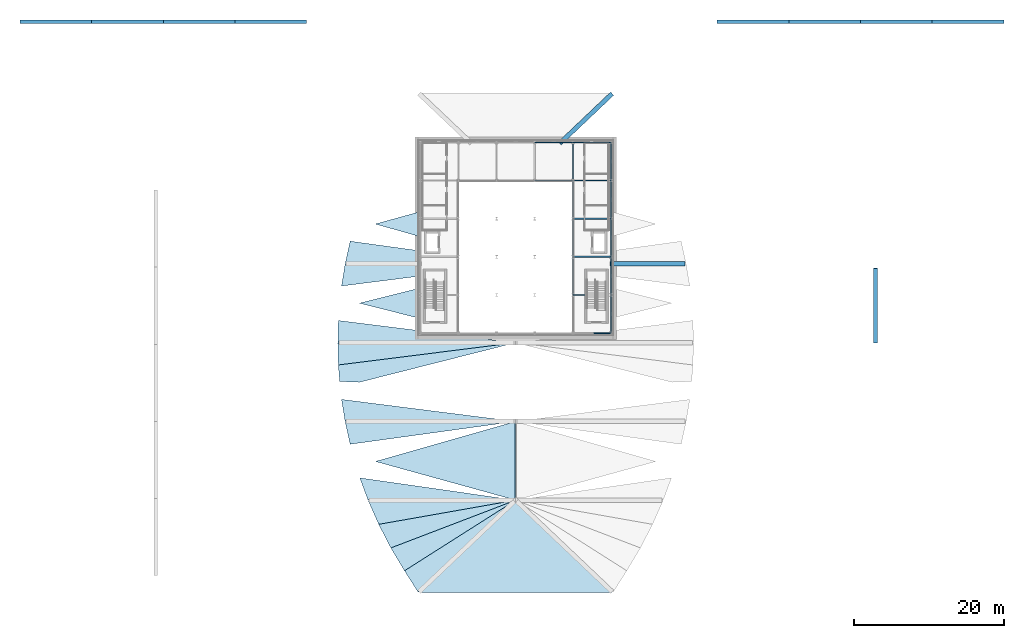
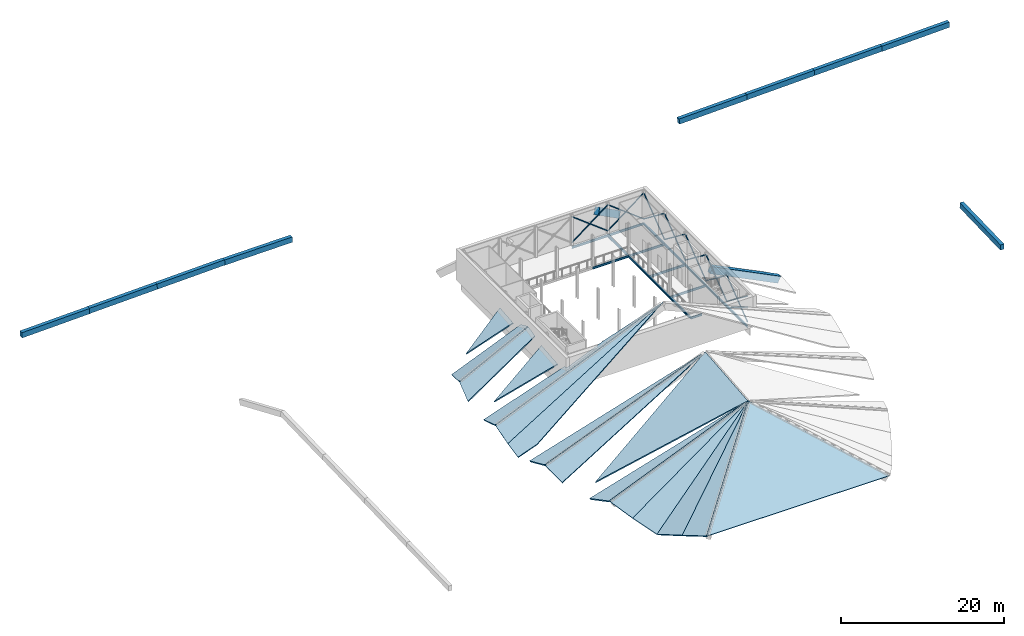
# One storey, part 3 of 7: 27 beams, 22 members, 16 slabs.
"""IFC4 building model written with IfcOpenShell, lengths in metres."""

from ifc_helpers import new_model, si_unit, direction, frame, origin, origin_2d, place, context, subcontext, project, spatial, polyline, rectangle, hollow_circle, i_section, outline, extrude, material, layer, layer_set, material_profile, profile_set, type_object, element, save


model = new_model("IFC4")

# Units and contexts
model_context = context("Model", 3, precision=1e-05, world=origin(), true_north=direction((0.0, 1.0)))
body_context = subcontext(model_context, "Body", "Model", "MODEL_VIEW")
ifc_project = project(units=[si_unit("LENGTHUNIT", "METRE"), si_unit("AREAUNIT", "SQUARE_METRE"), si_unit("VOLUMEUNIT", "CUBIC_METRE"), si_unit("PLANEANGLEUNIT", "RADIAN"), si_unit("MASSUNIT", "GRAM", prefix="KILO")], contexts=[model_context])

# Site, building, storey
site_placement = place(None, origin())
site = spatial("IfcSite", under=ifc_project, at=site_placement, CompositionType="ELEMENT")
building_placement = place(site_placement, origin())
building = spatial("IfcBuilding", under=site, at=building_placement, Name="Tide Square Theatres", CompositionType="ELEMENT")
storey_placement = place(building_placement, frame((0.0, 0.0, 19.39990234375)))
storey = spatial("IfcBuildingStorey", under=building, at=storey_placement, Name="L04", CompositionType="ELEMENT", Elevation=19.39990234375)

# Beams
ifc_material_1 = material(Name="Concrete C40", Category="concrete")
ifc_material_profile_1 = material_profile(ifc_material_1, rectangle(XDim=0.60009765625, YDim=1.0, at=origin_2d()))
ifc_profile_set_1 = profile_set([ifc_material_profile_1], Name="Concrete C40")
beam_type_1 = type_object("IfcBeamType", Name="RC roof rib and ridge 600 x 1000", PredefinedType="BEAM", material=ifc_profile_set_1)
beam_1_placement = place(storey_placement, frame((106.378173828125, 65.50341796875, -2.126220703125), z_axis=(-0.895127152784, 0.0, 0.445810924438), x_axis=(0.0, -1.0, 0.0)))
element("IfcBeam", 1, at=beam_1_placement, inside=storey, type_object=beam_type_1, Name="Roof rib main R4", PredefinedType="BEAM", context=body_context, shape_type="SweptSolid", body=[
    extrude(rectangle(XDim=0.60009765625, YDim=1.0, at=origin_2d()), origin(), (0.0, 0.0, 1.0), 10.725830078125),
])
beam_2_placement = place(storey_placement, frame((96.66162109375, 88.0185546875, -2.7568359375), z_axis=(-0.586818416538, -0.556711719416, 0.587976366427), x_axis=(0.688251683868, -0.725471997842, 0.0)))
element("IfcBeam", 2, at=beam_2_placement, inside=storey, type_object=beam_type_1, Name="Roof rib main R6", PredefinedType="BEAM", context=body_context, shape_type="SweptSolid", body=[
    extrude(rectangle(XDim=0.60009765625, YDim=1.0, at=origin_2d()), origin(), (0.0, 0.0, 1.0), 11.174560546875),
])
ifc_material_2 = material(Name="Concrete C40", Category="concrete")
ifc_material_profile_2 = material_profile(ifc_material_2, rectangle(XDim=0.5, YDim=0.800048828125, at=origin_2d()))
ifc_profile_set_2 = profile_set([ifc_material_profile_2], Name="Concrete C40")
beam_type_2 = type_object("IfcBeamType", Name="RC roof ridge beam 500 x 800", PredefinedType="BEAM", material=ifc_profile_set_2)
beam_3_placement = place(storey_placement, frame((132.0, 54.97021484375, 0.000244140625), z_axis=(0.0, 0.999550039057, 0.029995323326), x_axis=(-1.0, 0.0, 0.0)))
element("IfcBeam", 3, at=beam_3_placement, inside=storey, type_object=beam_type_2, Name="Ridge beam blackbox", PredefinedType="BEAM", context=body_context, shape_type="SweptSolid", body=[
    extrude(rectangle(XDim=0.5, YDim=0.800048828125, at=origin_2d()), origin(), (0.0, 0.0, 1.0), 9.96240234375),
])
for number, where, z_axis, x_axis, name in (
    (4, (17.892333984375, 97.800048828125, 0.919677734375), (0.999550081612, 0.0, 0.029993905199), (0.0, 1.0, 0.0), "Ridge beam workshops"),
    (5, (27.4521484375, 97.800048828125, 1.228759765625), (0.999550081612, 0.0, 0.029993905199), (0.0, 1.0, 0.0), "Ridge beam workshops"),
):
    element("IfcBeam", number, at=place(storey_placement, frame(where, z_axis=z_axis, x_axis=x_axis)), inside=storey, type_object=beam_type_2, Name=name, PredefinedType="BEAM", context=body_context, shape_type="SweptSolid", body=[
        extrude(rectangle(XDim=0.5, YDim=0.800048828125, at=origin_2d()), origin(), (0.0, 0.0, 1.0), 9.564208984375),
    ])
beam_4_placement = place(storey_placement, frame((37.011962890625, 97.800048828125, 1.5107421875), z_axis=(0.999550104576, 0.0, 0.029993139917), x_axis=(0.0, 1.0, 0.0)))
element("IfcBeam", 6, at=beam_4_placement, inside=storey, type_object=beam_type_2, Name="Ridge beam workshops", PredefinedType="BEAM", context=body_context, shape_type="SweptSolid", body=[
    extrude(rectangle(XDim=0.5, YDim=0.800048828125, at=origin_2d()), origin(), (0.0, 0.0, 1.0), 9.564453125),
])
beam_5_placement = place(storey_placement, frame((46.564208984375, 97.800048828125, 1.763916015625), z_axis=(0.999942754423, 0.0, 0.010699900761), x_axis=(0.0, 1.0, 0.0)))
element("IfcBeam", 7, at=beam_5_placement, inside=storey, type_object=beam_type_2, Name="Ridge beam workshops", PredefinedType="BEAM", context=body_context, shape_type="SweptSolid", body=[
    extrude(rectangle(XDim=0.5, YDim=0.800048828125, at=origin_2d()), origin(), (0.0, 0.0, 1.0), 9.560302734375),
])
for number, where, z_axis, x_axis, name in (
    (8, (110.892333984375, 97.800048828125, 0.33203125), (0.999550081612, 0.0, 0.029993905199), (0.0, 1.0, 0.0), "Ridge beam rehearsal"),
    (9, (120.4521484375, 97.800048828125, 0.638427734375), (0.999550081612, 0.0, 0.029993905199), (0.0, 1.0, 0.0), "Ridge beam rehearsal"),
):
    element("IfcBeam", number, at=place(storey_placement, frame(where, z_axis=z_axis, x_axis=x_axis)), inside=storey, type_object=beam_type_2, Name=name, PredefinedType="BEAM", context=body_context, shape_type="SweptSolid", body=[
        extrude(rectangle(XDim=0.5, YDim=0.800048828125, at=origin_2d()), origin(), (0.0, 0.0, 1.0), 9.564208984375),
    ])
beam_6_placement = place(storey_placement, frame((130.011962890625, 97.800048828125, 0.920654296875), z_axis=(0.999550104576, 0.0, 0.029993139917), x_axis=(0.0, 1.0, 0.0)))
element("IfcBeam", 10, at=beam_6_placement, inside=storey, type_object=beam_type_2, Name="Ridge beam rehearsal", PredefinedType="BEAM", context=body_context, shape_type="SweptSolid", body=[
    extrude(rectangle(XDim=0.5, YDim=0.800048828125, at=origin_2d()), origin(), (0.0, 0.0, 1.0), 9.564453125),
])
beam_7_placement = place(storey_placement, frame((139.572021484375, 97.800048828125, 1.1748046875), z_axis=(0.999550058647, 0.0, 0.029994670521), x_axis=(0.0, 1.0, 0.0)))
element("IfcBeam", 11, at=beam_7_placement, inside=storey, type_object=beam_type_2, Name="Ridge beam rehearsal", PredefinedType="BEAM", context=body_context, shape_type="SweptSolid", body=[
    extrude(rectangle(XDim=0.5, YDim=0.800048828125, at=origin_2d()), origin(), (0.0, 0.0, 1.0), 9.56396484375),
])
ifc_material_3 = material(Name="Steel ASTM A572 Grade 50", Category="steel")
ifc_material_profile_3 = material_profile(ifc_material_3, i_section(OverallWidth=0.1650390625, OverallDepth=0.31005859375, WebThickness=0.005859375, FlangeThickness=0.009765625, FilletRadius=0.010009765625, at=origin_2d()))
ifc_profile_set_3 = profile_set([ifc_material_profile_3], Name="Steel ASTM A572 Grade 50")
beam_type_3 = type_object("IfcBeamType", Name="Steel beam W 310 x 38.7", PredefinedType="BEAM", material=ifc_profile_set_3)
beam_8_placement = place(storey_placement, frame((91.634521484375, 61.365478515625, -0.35498046875), z_axis=(0.0, 1.0, 0.0), x_axis=(-1.0, 0.0, 0.0)))
element("IfcBeam", 12, at=beam_8_placement, inside=storey, type_object=beam_type_3, Name="Fly gallery beam", PredefinedType="BEAM", context=body_context, shape_type="SweptSolid", body=[
    extrude(i_section(OverallWidth=0.1650390625, OverallDepth=0.31005859375, WebThickness=0.005859375, FlangeThickness=0.009765625, FilletRadius=0.010009765625, at=origin_2d()), origin(), (0.0, 0.0, 1.0), 5.089599609375),
])
beam_9_placement = place(storey_placement, frame((91.634521484375, 66.455078125, -0.35498046875), z_axis=(0.0, 1.0, 0.0), x_axis=(-1.0, 0.0, 0.0)))
element("IfcBeam", 13, at=beam_9_placement, inside=storey, type_object=beam_type_3, Name="Fly gallery beam", PredefinedType="BEAM", context=body_context, shape_type="SweptSolid", body=[
    extrude(i_section(OverallWidth=0.1650390625, OverallDepth=0.31005859375, WebThickness=0.005859375, FlangeThickness=0.009765625, FilletRadius=0.010009765625, at=origin_2d()), origin(), (0.0, 0.0, 1.0), 5.08984375),
])
for number, where, z_axis, x_axis, name in (
    (14, (91.634521484375, 71.544921875, -0.35498046875), (0.0, 1.0, 0.0), (-1.0, 0.0, 0.0), "Fly gallery beam"),
    (15, (91.634521484375, 76.634521484375, -0.35498046875), (0.0, 1.0, 0.0), (-1.0, 0.0, 0.0), "Fly gallery beam"),
    (16, (96.72412109375, 56.27587890625, -0.35498046875), (0.0, 1.0, 0.0), (-1.0, 0.0, 0.0), "Fly gallery beam"),
    (17, (96.72412109375, 61.365478515625, -0.35498046875), (0.0, 1.0, 0.0), (-1.0, 0.0, 0.0), "Fly gallery beam"),
):
    element("IfcBeam", number, at=place(storey_placement, frame(where, z_axis=z_axis, x_axis=x_axis)), inside=storey, type_object=beam_type_3, Name=name, PredefinedType="BEAM", context=body_context, shape_type="SweptSolid", body=[
        extrude(i_section(OverallWidth=0.1650390625, OverallDepth=0.31005859375, WebThickness=0.005859375, FlangeThickness=0.009765625, FilletRadius=0.010009765625, at=origin_2d()), origin(), (0.0, 0.0, 1.0), 5.089599609375),
    ])
beam_10_placement = place(storey_placement, frame((96.72412109375, 66.455078125, -0.35498046875), z_axis=(0.0, 1.0, 0.0), x_axis=(-1.0, 0.0, 0.0)))
element("IfcBeam", 18, at=beam_10_placement, inside=storey, type_object=beam_type_3, Name="Fly gallery beam", PredefinedType="BEAM", context=body_context, shape_type="SweptSolid", body=[
    extrude(i_section(OverallWidth=0.1650390625, OverallDepth=0.31005859375, WebThickness=0.005859375, FlangeThickness=0.009765625, FilletRadius=0.010009765625, at=origin_2d()), origin(), (0.0, 0.0, 1.0), 5.08984375),
])
for number, where, z_axis, x_axis, name in (
    (19, (96.72412109375, 71.544921875, -0.35498046875), (0.0, 1.0, 0.0), (-1.0, 0.0, 0.0), "Fly gallery beam"),
    (20, (96.72412109375, 76.634521484375, -0.35498046875), (0.0, 1.0, 0.0), (-1.0, 0.0, 0.0), "Fly gallery beam"),
):
    element("IfcBeam", number, at=place(storey_placement, frame(where, z_axis=z_axis, x_axis=x_axis)), inside=storey, type_object=beam_type_3, Name=name, PredefinedType="BEAM", context=body_context, shape_type="SweptSolid", body=[
        extrude(i_section(OverallWidth=0.1650390625, OverallDepth=0.31005859375, WebThickness=0.005859375, FlangeThickness=0.009765625, FilletRadius=0.010009765625, at=origin_2d()), origin(), (0.0, 0.0, 1.0), 5.089599609375),
    ])
beam_11_placement = place(storey_placement, frame((91.634521484375, 61.365478515625, -0.35498046875), z_axis=(1.0, 0.0, 0.0), x_axis=(0.0, 1.0, 0.0)))
element("IfcBeam", 21, at=beam_11_placement, inside=storey, type_object=beam_type_3, Name="Fly gallery cross beam", PredefinedType="BEAM", context=body_context, shape_type="SweptSolid", body=[
    extrude(i_section(OverallWidth=0.1650390625, OverallDepth=0.31005859375, WebThickness=0.005859375, FlangeThickness=0.009765625, FilletRadius=0.010009765625, at=origin_2d()), origin(), (0.0, 0.0, 1.0), 1.589599609375),
])
for number, where, z_axis, x_axis, name in (
    (22, (91.634521484375, 66.455078125, -0.35498046875), (1.0, 0.0, 0.0), (0.0, 1.0, 0.0), "Fly gallery cross beam"),
    (23, (91.634521484375, 71.544921875, -0.35498046875), (1.0, 0.0, 0.0), (0.0, 1.0, 0.0), "Fly gallery cross beam"),
    (24, (91.634521484375, 76.634521484375, -0.35498046875), (1.0, 0.0, 0.0), (0.0, 1.0, 0.0), "Fly gallery cross beam"),
    (25, (91.634521484375, 81.72412109375, -0.35498046875), (1.0, 0.0, 0.0), (0.0, 1.0, 0.0), "Fly gallery cross beam"),
    (26, (86.544921875, 76.634521484375, -0.35498046875), (1.0, 0.0, 0.0), (0.0, 1.0, 0.0), "Fly gallery beam"),
    (27, (86.544921875, 81.72412109375, -0.35498046875), (1.0, 0.0, 0.0), (0.0, 1.0, 0.0), "Fly gallery beam"),
):
    element("IfcBeam", number, at=place(storey_placement, frame(where, z_axis=z_axis, x_axis=x_axis)), inside=storey, type_object=beam_type_3, Name=name, PredefinedType="BEAM", context=body_context, shape_type="SweptSolid", body=[
        extrude(i_section(OverallWidth=0.1650390625, OverallDepth=0.31005859375, WebThickness=0.005859375, FlangeThickness=0.009765625, FilletRadius=0.010009765625, at=origin_2d()), origin(), (0.0, 0.0, 1.0), 5.089599609375),
    ])

# Members
ifc_material_4 = material(Name="Steel ASTM A500 Grade C", Category="steel")
ifc_material_profile_4 = material_profile(ifc_material_4, hollow_circle(Radius=0.084228515625, WallThickness=0.008056640625, at=origin_2d()))
ifc_profile_set_4 = profile_set([ifc_material_profile_4], Name="Steel ASTM A500 Grade C")
member_type = type_object("IfcMemberType", Name="Steel brace CHS 168.3 x 8.0", PredefinedType="BRACE", material=ifc_profile_set_4)
member_1_placement = place(storey_placement, frame((96.72412109375, 56.27587890625, 2.60009765625), z_axis=(-0.951257396321, 0.0, 0.308398064106), x_axis=(0.0, -1.0, 0.0)))
element("IfcMember", 28, at=member_1_placement, inside=storey, type_object=member_type, Name="Fly tower brace", PredefinedType="BRACE", context=body_context, shape_type="SweptSolid", body=[
    extrude(hollow_circle(Radius=0.084228515625, WallThickness=0.008056640625, at=origin_2d()), origin(), (0.0, 0.0, 1.0), 2.463623046875),
])
member_2_placement = place(storey_placement, frame((86.544921875, 81.72412109375, 0.35009765625), z_axis=(0.793766284219, 0.0, 0.60822289174), x_axis=(0.0, 1.0, 0.0)))
element("IfcMember", 29, at=member_2_placement, inside=storey, type_object=member_type, Name="Fly tower brace", PredefinedType="BRACE", context=body_context, shape_type="SweptSolid", body=[
    extrude(hollow_circle(Radius=0.084228515625, WallThickness=0.008056640625, at=origin_2d()), origin(), (0.0, 0.0, 1.0), 6.411865234375),
])
member_3_placement = place(storey_placement, frame((91.634521484375, 81.72412109375, 0.35009765625), z_axis=(-0.793799844633, 0.0, 0.608179090943), x_axis=(0.0, -1.0, 0.0)))
element("IfcMember", 30, at=member_3_placement, inside=storey, type_object=member_type, Name="Fly tower brace", PredefinedType="BRACE", context=body_context, shape_type="SweptSolid", body=[
    extrude(hollow_circle(Radius=0.084228515625, WallThickness=0.008056640625, at=origin_2d()), origin(), (0.0, 0.0, 1.0), 3.106689453125),
])
member_4_placement = place(storey_placement, frame((89.0107421875, 81.72412109375, 2.360595703125), z_axis=(-0.793770774284, 0.0, 0.608217031899), x_axis=(0.0, -1.0, 0.0)))
element("IfcMember", 31, at=member_4_placement, inside=storey, type_object=member_type, Name="Fly tower brace", PredefinedType="BRACE", context=body_context, shape_type="SweptSolid", body=[
    extrude(hollow_circle(Radius=0.084228515625, WallThickness=0.008056640625, at=origin_2d()), origin(), (0.0, 0.0, 1.0), 3.1064453125),
])
member_5_placement = place(storey_placement, frame((91.634521484375, 81.72412109375, 0.35009765625), z_axis=(0.793766284219, 0.0, 0.60822289174), x_axis=(0.0, 1.0, 0.0)))
element("IfcMember", 32, at=member_5_placement, inside=storey, type_object=member_type, Name="Fly tower brace", PredefinedType="BRACE", context=body_context, shape_type="SweptSolid", body=[
    extrude(hollow_circle(Radius=0.084228515625, WallThickness=0.008056640625, at=origin_2d()), origin(), (0.0, 0.0, 1.0), 6.411865234375),
])
member_6_placement = place(storey_placement, frame((96.72412109375, 81.72412109375, 0.35009765625), z_axis=(-0.793799844633, 0.0, 0.608179090943), x_axis=(0.0, -1.0, 0.0)))
element("IfcMember", 33, at=member_6_placement, inside=storey, type_object=member_type, Name="Fly tower brace", PredefinedType="BRACE", context=body_context, shape_type="SweptSolid", body=[
    extrude(hollow_circle(Radius=0.084228515625, WallThickness=0.008056640625, at=origin_2d()), origin(), (0.0, 0.0, 1.0), 3.106689453125),
])
member_7_placement = place(storey_placement, frame((94.100341796875, 81.72412109375, 2.360595703125), z_axis=(-0.793770774284, 0.0, 0.608217031899), x_axis=(0.0, -1.0, 0.0)))
element("IfcMember", 34, at=member_7_placement, inside=storey, type_object=member_type, Name="Fly tower brace", PredefinedType="BRACE", context=body_context, shape_type="SweptSolid", body=[
    extrude(hollow_circle(Radius=0.084228515625, WallThickness=0.008056640625, at=origin_2d()), origin(), (0.0, 0.0, 1.0), 3.1064453125),
])
member_8_placement = place(storey_placement, frame((96.72412109375, 56.27587890625, 0.35009765625), z_axis=(0.0, 0.793766284219, 0.60822289174), x_axis=(-1.0, 0.0, 0.0)))
element("IfcMember", 35, at=member_8_placement, inside=storey, type_object=member_type, Name="Fly tower brace", PredefinedType="BRACE", context=body_context, shape_type="SweptSolid", body=[
    extrude(hollow_circle(Radius=0.084228515625, WallThickness=0.008056640625, at=origin_2d()), origin(), (0.0, 0.0, 1.0), 6.411865234375),
])
member_9_placement = place(storey_placement, frame((96.72412109375, 61.365478515625, 0.35009765625), z_axis=(0.0, -0.793770774284, 0.608217031899), x_axis=(1.0, 0.0, 0.0)))
element("IfcMember", 36, at=member_9_placement, inside=storey, type_object=member_type, Name="Fly tower brace", PredefinedType="BRACE", context=body_context, shape_type="SweptSolid", body=[
    extrude(hollow_circle(Radius=0.084228515625, WallThickness=0.008056640625, at=origin_2d()), origin(), (0.0, 0.0, 1.0), 3.1064453125),
])
member_10_placement = place(storey_placement, frame((96.72412109375, 58.741943359375, 2.360595703125), z_axis=(0.0, -0.793799844633, 0.608179090943), x_axis=(1.0, 0.0, 0.0)))
element("IfcMember", 37, at=member_10_placement, inside=storey, type_object=member_type, Name="Fly tower brace", PredefinedType="BRACE", context=body_context, shape_type="SweptSolid", body=[
    extrude(hollow_circle(Radius=0.084228515625, WallThickness=0.008056640625, at=origin_2d()), origin(), (0.0, 0.0, 1.0), 3.106689453125),
])
member_11_placement = place(storey_placement, frame((96.72412109375, 61.365478515625, 0.35009765625), z_axis=(0.0, 0.793766284219, 0.60822289174), x_axis=(-1.0, 0.0, 0.0)))
element("IfcMember", 38, at=member_11_placement, inside=storey, type_object=member_type, Name="Fly tower brace", PredefinedType="BRACE", context=body_context, shape_type="SweptSolid", body=[
    extrude(hollow_circle(Radius=0.084228515625, WallThickness=0.008056640625, at=origin_2d()), origin(), (0.0, 0.0, 1.0), 6.411865234375),
])
member_12_placement = place(storey_placement, frame((96.72412109375, 66.455078125, 0.35009765625), z_axis=(0.0, -0.793770774284, 0.608217031899), x_axis=(1.0, 0.0, 0.0)))
element("IfcMember", 39, at=member_12_placement, inside=storey, type_object=member_type, Name="Fly tower brace", PredefinedType="BRACE", context=body_context, shape_type="SweptSolid", body=[
    extrude(hollow_circle(Radius=0.084228515625, WallThickness=0.008056640625, at=origin_2d()), origin(), (0.0, 0.0, 1.0), 3.1064453125),
])
member_13_placement = place(storey_placement, frame((96.72412109375, 63.83154296875, 2.360595703125), z_axis=(0.0, -0.793799844633, 0.608179090943), x_axis=(1.0, 0.0, 0.0)))
element("IfcMember", 40, at=member_13_placement, inside=storey, type_object=member_type, Name="Fly tower brace", PredefinedType="BRACE", context=body_context, shape_type="SweptSolid", body=[
    extrude(hollow_circle(Radius=0.084228515625, WallThickness=0.008056640625, at=origin_2d()), origin(), (0.0, 0.0, 1.0), 3.106689453125),
])
member_14_placement = place(storey_placement, frame((96.72412109375, 66.455078125, 0.35009765625), z_axis=(0.0, 0.793780369156, 0.608204509637), x_axis=(-1.0, 0.0, 0.0)))
element("IfcMember", 41, at=member_14_placement, inside=storey, type_object=member_type, Name="Fly tower brace", PredefinedType="BRACE", context=body_context, shape_type="SweptSolid", body=[
    extrude(hollow_circle(Radius=0.084228515625, WallThickness=0.008056640625, at=origin_2d()), origin(), (0.0, 0.0, 1.0), 6.412109375),
])
for number, where, z_axis, x_axis, name in (
    (42, (96.72412109375, 71.544921875, 0.35009765625), (0.0, -0.793799844633, 0.608179090943), (1.0, 0.0, 0.0), "Fly tower brace"),
    (43, (96.72412109375, 68.921142578125, 2.360595703125), (0.0, -0.793799844633, 0.608179090943), (1.0, 0.0, 0.0), "Fly tower brace"),
):
    element("IfcMember", number, at=place(storey_placement, frame(where, z_axis=z_axis, x_axis=x_axis)), inside=storey, type_object=member_type, Name=name, PredefinedType="BRACE", context=body_context, shape_type="SweptSolid", body=[
        extrude(hollow_circle(Radius=0.084228515625, WallThickness=0.008056640625, at=origin_2d()), origin(), (0.0, 0.0, 1.0), 3.106689453125),
    ])
member_15_placement = place(storey_placement, frame((96.72412109375, 71.544921875, 0.35009765625), z_axis=(0.0, 0.793766284219, 0.60822289174), x_axis=(-1.0, 0.0, 0.0)))
element("IfcMember", 44, at=member_15_placement, inside=storey, type_object=member_type, Name="Fly tower brace", PredefinedType="BRACE", context=body_context, shape_type="SweptSolid", body=[
    extrude(hollow_circle(Radius=0.084228515625, WallThickness=0.008056640625, at=origin_2d()), origin(), (0.0, 0.0, 1.0), 6.411865234375),
])
member_16_placement = place(storey_placement, frame((96.72412109375, 76.634521484375, 0.35009765625), z_axis=(0.0, -0.793799844633, 0.608179090943), x_axis=(1.0, 0.0, 0.0)))
element("IfcMember", 45, at=member_16_placement, inside=storey, type_object=member_type, Name="Fly tower brace", PredefinedType="BRACE", context=body_context, shape_type="SweptSolid", body=[
    extrude(hollow_circle(Radius=0.084228515625, WallThickness=0.008056640625, at=origin_2d()), origin(), (0.0, 0.0, 1.0), 3.106689453125),
])
member_17_placement = place(storey_placement, frame((96.72412109375, 74.0107421875, 2.360595703125), z_axis=(0.0, -0.793770774284, 0.608217031899), x_axis=(1.0, 0.0, 0.0)))
element("IfcMember", 46, at=member_17_placement, inside=storey, type_object=member_type, Name="Fly tower brace", PredefinedType="BRACE", context=body_context, shape_type="SweptSolid", body=[
    extrude(hollow_circle(Radius=0.084228515625, WallThickness=0.008056640625, at=origin_2d()), origin(), (0.0, 0.0, 1.0), 3.1064453125),
])
member_18_placement = place(storey_placement, frame((96.72412109375, 76.634521484375, 0.35009765625), z_axis=(0.0, 0.793766284219, 0.60822289174), x_axis=(-1.0, 0.0, 0.0)))
element("IfcMember", 47, at=member_18_placement, inside=storey, type_object=member_type, Name="Fly tower brace", PredefinedType="BRACE", context=body_context, shape_type="SweptSolid", body=[
    extrude(hollow_circle(Radius=0.084228515625, WallThickness=0.008056640625, at=origin_2d()), origin(), (0.0, 0.0, 1.0), 6.411865234375),
])
member_19_placement = place(storey_placement, frame((96.72412109375, 81.72412109375, 0.35009765625), z_axis=(0.0, -0.793799844633, 0.608179090943), x_axis=(1.0, 0.0, 0.0)))
element("IfcMember", 48, at=member_19_placement, inside=storey, type_object=member_type, Name="Fly tower brace", PredefinedType="BRACE", context=body_context, shape_type="SweptSolid", body=[
    extrude(hollow_circle(Radius=0.084228515625, WallThickness=0.008056640625, at=origin_2d()), origin(), (0.0, 0.0, 1.0), 3.106689453125),
])
member_20_placement = place(storey_placement, frame((96.72412109375, 79.100341796875, 2.360595703125), z_axis=(0.0, -0.793770774284, 0.608217031899), x_axis=(1.0, 0.0, 0.0)))
element("IfcMember", 49, at=member_20_placement, inside=storey, type_object=member_type, Name="Fly tower brace", PredefinedType="BRACE", context=body_context, shape_type="SweptSolid", body=[
    extrude(hollow_circle(Radius=0.084228515625, WallThickness=0.008056640625, at=origin_2d()), origin(), (0.0, 0.0, 1.0), 3.1064453125),
])

# Slabs
ifc_material_5 = material(Name="Concrete C40", Category="concrete")
ifc_layer = layer(ifc_material_5, 0.199951171875)
ifc_layer_set = layer_set([ifc_layer], Name="Concrete C40")
slab_type = type_object("IfcSlabType", Name="RC roof slab 200", PredefinedType="ROOF", material=ifc_layer_set)
slab_1_placement = place(storey_placement, frame((69.172607421875, 24.5791015625, -2.68896484375), z_axis=(-0.516458120611, -0.031339705955, 0.85573876416), x_axis=(0.514487228452, -0.810207302297, 0.280832724347)))
element("IfcSlab", 50, at=slab_1_placement, inside=storey, type_object=slab_type, Name="Roof plate main-P031", PredefinedType="ROOF", context=body_context, shape_type="SweptSolid", body=[
    extrude(outline(polyline([(0.0, 0.0), (3.493029644357899, 0.0), (2.545206299392043, 19.2022049463468), (0.0, 0.0)])), origin(), (0.0, 0.0, -1.0), 0.199951171875),
])
slab_2_placement = place(storey_placement, frame((69.172607421875, 24.5791015625, -2.68896484375), z_axis=(-0.522651099245, -0.018242786925, 0.852351470453), x_axis=(0.746193990369, 0.473766161208, 0.46769664659)))
element("IfcSlab", 51, at=slab_2_placement, inside=storey, type_object=slab_type, Name="Roof plate main-P032", PredefinedType="ROOF", context=body_context, shape_type="SweptSolid", body=[
    extrude(outline(polyline([(0.0, 0.0), (19.870694175378794, 4.440892098500626e-16), (-0.40660823149315345, 3.6798880181777247), (0.0, 0.0)])), origin(), (0.0, 0.0, -1.0), 0.199951171875),
])
slab_3_placement = place(storey_placement, frame((67.351806640625, 27.62646484375, -3.740234375), z_axis=(-0.33756503383, -0.455634332895, 0.823679065306), x_axis=(0.807831115734, 0.308935487617, 0.501963896055)))
element("IfcSlab", 52, at=slab_3_placement, inside=storey, type_object=slab_type, Name="Roof plate main-P033", PredefinedType="ROOF", context=body_context, shape_type="SweptSolid", body=[
    extrude(outline(polyline([(0.0, 0.0), (20.60850719305168, 8.881784197001252e-16), (0.19960472888388203, 3.6933521398439972), (0.0, 0.0)])), origin(), (0.0, 0.0, -1.0), 0.199951171875),
])
slab_4_placement = place(storey_placement, frame((65.728515625, 30.771484375, -2.665771484375), z_axis=(-0.346494661414, -0.431525841587, 0.832902693989), x_axis=(0.880960830452, 0.155335432055, 0.44696635081)))
element("IfcSlab", 53, at=slab_4_placement, inside=storey, type_object=slab_type, Name="Roof plate main-P034", PredefinedType="ROOF", context=body_context, shape_type="SweptSolid", body=[
    extrude(outline(polyline([(0.0, 0.0), (20.15704642651919, 1.3322676295501878e-15), (-0.2597093206919351, 3.568931368474572), (0.0, 0.0)])), origin(), (0.0, 0.0, -1.0), 0.199951171875),
])
slab_5_placement = place(storey_placement, frame((63.203857421875, 36.976318359375, -2.60595703125), z_axis=(-0.378482547857, 0.170470543501, 0.909775112193), x_axis=(0.331041322926, -0.892952311636, 0.305037393871)))
element("IfcSlab", 54, at=slab_5_placement, inside=storey, type_object=slab_type, Name="Roof plate main-P035", PredefinedType="ROOF", context=body_context, shape_type="SweptSolid", body=[
    extrude(outline(polyline([(0.0, 0.0), (3.2390688132902197, 5.551115123125783e-17), (11.982121554731613, 18.739006959259854), (0.0, 0.0)])), origin(), (0.0, 0.0, -1.0), 0.199951171875),
])
slab_6_placement = place(storey_placement, frame((61.916015625, 41.451171875, -2.496337890625), z_axis=(-0.344381612865, -0.367478728895, 0.863921691203), x_axis=(0.902357382024, 0.124436970313, 0.412633730476)))
element("IfcSlab", 55, at=slab_6_placement, inside=storey, type_object=slab_type, Name="Roof plate main-P038", PredefinedType="ROOF", context=body_context, shape_type="SweptSolid", body=[
    extrude(outline(polyline([(0.0, 0.0), (23.85353574015601, 4.440892098500626e-16), (0.19674111547550932, 3.193964407383668), (0.0, 0.0)])), origin(), (0.0, 0.0, -1.0), 0.199951171875),
])
slab_7_placement = place(storey_placement, frame((65.275390625, 39.161865234375, -2.199951171875), z_axis=(-0.443055122096, -0.084788227224, 0.89247583458), x_axis=(0.877972044974, -0.242355488429, 0.412830359194)))
element("IfcSlab", 56, at=slab_7_placement, inside=storey, type_object=slab_type, Name="Roof plate main-P039", PredefinedType="ROOF", context=body_context, shape_type="SweptSolid", body=[
    extrude(outline(polyline([(0.0, 0.0), (21.22116746600713, 8.881784197001252e-16), (19.098116920767655, 10.281568123845574), (0.0, 0.0)])), origin(), (0.0, 0.0, -1.0), 0.199951171875),
])
slab_8_placement = place(storey_placement, frame((60.768798828125, 47.443115234375, -2.472900390625), z_axis=(-0.358660712603, 0.248692466583, 0.899730265302), x_axis=(0.152399202515, -0.935325236116, 0.319282297907)))
element("IfcSlab", 57, at=slab_8_placement, inside=storey, type_object=slab_type, Name="Roof plate main-P040", PredefinedType="ROOF", context=body_context, shape_type="SweptSolid", body=[
    extrude(outline(polyline([(0.0, 0.0), (3.0677935918198282, 5.551115123125783e-17), (9.264072878108967, 23.031776476034572), (0.0, 0.0)])), origin(), (0.0, 0.0, -1.0), 0.199951171875),
])
slab_9_placement = place(storey_placement, frame((63.149658203125, 49.722900390625, -2.199951171875), z_axis=(-0.368943706153, -0.32464943436, 0.870909459393), x_axis=(0.866342721538, 0.219266805453, 0.448745314031)))
element("IfcSlab", 58, at=slab_9_placement, inside=storey, type_object=slab_type, Name="Roof plate main-P042", PredefinedType="ROOF", context=body_context, shape_type="SweptSolid", body=[
    extrude(outline(polyline([(0.0, 0.0), (24.06710593363165, -4.440892098500626e-16), (-2.0731555875156578, 3.0018952495416107), (-2.740385329202904, 0.7698511061062391), (0.0, 0.0)])), origin(), (0.0, 0.0, -1.0), 0.199951171875),
])
slab_10_placement = place(storey_placement, frame((60.343017578125, 52.0302734375, -2.52880859375), z_axis=(-0.37318432824, -0.307454255176, 0.875331558971), x_axis=(0.899094266243, 0.112859838533, 0.422956448415)))
element("IfcSlab", 59, at=slab_10_placement, inside=storey, type_object=slab_type, Name="Roof plate main-P043", PredefinedType="ROOF", context=body_context, shape_type="SweptSolid", body=[
    extrude(outline(polyline([(0.0, 0.0), (25.740151099320613, -4.440892098500626e-16), (0.6769493417117867, 2.9937450060106947), (0.0, 0.0)])), origin(), (0.0, 0.0, -1.0), 0.199951171875),
])
slab_11_placement = place(storey_placement, frame((60.343017578125, 57.9697265625, -2.52880859375), z_axis=(-0.373195428496, 0.307402556096, 0.875344983795), x_axis=(-0.024876689774, -0.946487487226, 0.32178033941)))
element("IfcSlab", 60, at=slab_11_placement, inside=storey, type_object=slab_type, Name="Roof plate main-P045", PredefinedType="ROOF", context=body_context, shape_type="SweptSolid", body=[
    extrude(outline(polyline([(0.0, 0.0), (3.069327213782305, 5.551115123125783e-17), (5.677067683602505, 25.106299630373563), (3.849240633275244, 17.021994943326664), (3.2838443017354555, 11.579135099201892), (2.6144087681748767, 11.561165603013736), (0.0, 0.0)])), origin(), (0.0, 0.0, -1.0), 0.199951171875),
])
slab_12_placement = place(storey_placement, frame((60.768798828125, 62.556884765625, -2.73583984375), z_axis=(-0.43428203643, -0.225954628537, 0.871976845264), x_axis=(0.877750620824, 0.111324493487, 0.466005048034)))
element("IfcSlab", 61, at=slab_12_placement, inside=storey, type_object=slab_type, Name="Roof plate main-P049", PredefinedType="ROOF", context=body_context, shape_type="SweptSolid", body=[
    extrude(outline(polyline([(0.0, 0.0), (11.656184390492644, -1.1102230246251565e-16), (12.02070885488845, 1.5811931249539748), (1.1843394395191817, 2.827752112008425), (0.0, 0.0)])), origin(), (0.0, 0.0, -1.0), 0.199951171875),
])
slab_13_placement = place(storey_placement, frame((63.149658203125, 60.277099609375, -2.199951171875), z_axis=(-0.474881165467, -0.083240196125, 0.876104416399), x_axis=(0.866339241245, -0.219258863171, 0.448755913611)))
element("IfcSlab", 62, at=slab_13_placement, inside=storey, type_object=slab_type, Name="Roof plate main-P050", PredefinedType="ROOF", context=body_context, shape_type="SweptSolid", body=[
    extrude(outline(polyline([(0.0, 0.0), (9.061510114210867, 1.1102230246251565e-16), (8.363043387016447, 3.9105114647755506), (0.0, 0.0)])), origin(), (0.0, 0.0, -1.0), 0.199951171875),
])
slab_14_placement = place(storey_placement, frame((61.916015625, 68.548828125, -2.764404296875), z_axis=(-0.413822604976, 0.371998378315, 0.830883901723), x_axis=(-0.203117041473, -0.927421994276, 0.3140571795)))
element("IfcSlab", 63, at=slab_14_placement, inside=storey, type_object=slab_type, Name="Roof plate main-P052", PredefinedType="ROOF", context=body_context, shape_type="SweptSolid", body=[
    extrude(outline(polyline([(0.0, 0.0), (3.1995224203270127, 1.1102230246251565e-16), (2.7449220711546354, 10.864806826161983), (0.9137012610591264, 10.445690685307742), (0.0, 0.0)])), origin(), (0.0, 0.0, -1.0), 0.199951171875),
])
slab_15_placement = place(storey_placement, frame((65.275390625, 70.838134765625, -2.199951171875), z_axis=(-0.547457732988, -0.079172025456, 0.833079720661), x_axis=(0.822507928663, -0.234320750745, 0.518241732261)))
element("IfcSlab", 64, at=slab_15_placement, inside=storey, type_object=slab_type, Name="Roof plate main-P056", PredefinedType="ROOF", context=body_context, shape_type="SweptSolid", body=[
    extrude(outline(polyline([(0.0, 0.0), (6.959944306320674, -1.1102230246251565e-16), (6.365652639030275, 3.1704317057362723), (0.0, 0.0)])), origin(), (0.0, 0.0, -1.0), 0.199951171875),
])
slab_16_placement = place(storey_placement, frame((96.860107421875, 21.67578125, -1.6826171875), z_axis=(0.0, -0.55821638596, 0.829695405824), x_axis=(-0.658322918067, 0.624541297801, 0.420189365512)))
element("IfcSlab", 65, at=slab_16_placement, inside=storey, type_object=slab_type, Name="Roof plate main-P061", PredefinedType="ROOF", context=body_context, shape_type="SweptSolid", body=[
    extrude(outline(polyline([(0.0, 0.0), (19.53464943865878, -8.881784197001252e-16), (16.932206889249336, 19.36052224162135), (0.0, 0.0)])), origin(), (0.0, 0.0, -1.0), 0.199951171875),
])

save(model, "model.ifc")
